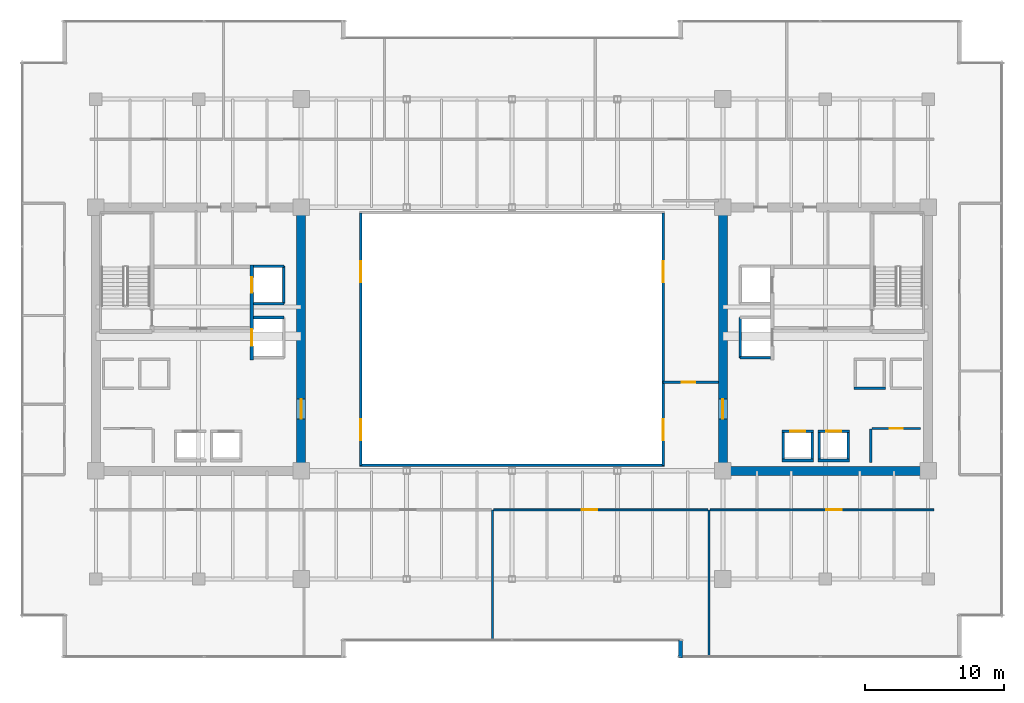
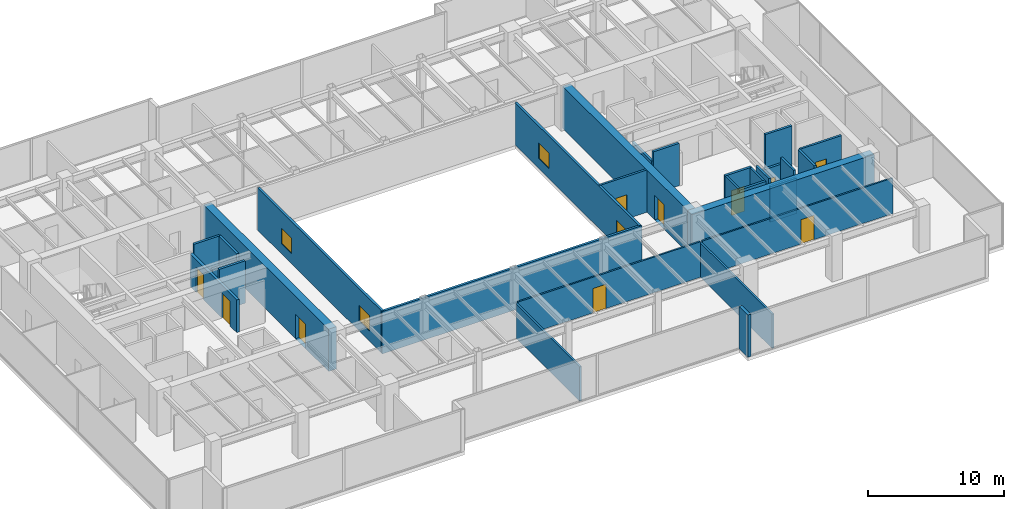
# One storey, part 26 of 31: 30 walls, 10 doors, 4 windows, 14 openings.
"""IFC4 building model written with IfcOpenShell, lengths in metres."""

from ifc_helpers import new_model, si_unit, direction, frame, frame_2d, origin, place, context, subcontext, project, spatial, rectangle, extrude, source, transform, mapped, material, layer, layer_set, type_object, type_shapes, element, fill, save


model = new_model("IFC4")

# Units and contexts
model_context = context("Model", 3, precision=1e-05, world=origin(), true_north=direction((0.0, 1.0)))
body_context = subcontext(model_context, "Body", "Model", "MODEL_VIEW")
ifc_project = project(units=[si_unit("LENGTHUNIT", "METRE"), si_unit("AREAUNIT", "SQUARE_METRE"), si_unit("VOLUMEUNIT", "CUBIC_METRE"), si_unit("PLANEANGLEUNIT", "RADIAN"), si_unit("MASSUNIT", "GRAM", prefix="KILO")], contexts=[model_context])

# Site, building, storey
site_placement = place(None, origin())
site = spatial("IfcSite", under=ifc_project, at=site_placement, CompositionType="ELEMENT")
building_placement = place(site_placement, origin())
building = spatial("IfcBuilding", under=site, at=building_placement, Name="Haelvirn Gate Laboratories", CompositionType="ELEMENT")
storey_placement = place(building_placement, frame((0.0, 0.0, 174.800048828125)))
storey = spatial("IfcBuildingStorey", under=building, at=storey_placement, Name="L42", CompositionType="ELEMENT", Elevation=174.800048828125)

# Walls
ifc_material_1 = material(Name="Thermally-broken bronze aluminium rainscreen & mineral wool", Category="aluminium")
ifc_layer_1 = layer(ifc_material_1, 0.280029296875, Name="EW-TERR-280")
ifc_layer_set_1 = layer_set([ifc_layer_1], Name="Thermally-broken bronze aluminium rainscreen & mineral wool")
wall_type_1 = type_object("IfcWallType", Name="EW-TERR-280", PredefinedType="STANDARD", material=ifc_layer_set_1)
wall_1_placement = place(storey_placement, frame((49.5400390625, 2.587890625, 0.0), z_axis=(0.0, 0.0, 1.0), x_axis=(0.0, -1.0, 0.0)))
element("IfcWall", 1, at=wall_1_placement, inside=storey, type_object=wall_type_1, Name="L42 Atrium Recess Bronze Return Wall 03", PredefinedType="STANDARD", context=body_context, shape_type="SweptSolid", body=[
    extrude(rectangle(XDim=1.287841796875, YDim=0.280029296875, at=frame_2d((0.64404296875, 0.0))), origin(), (0.0, 0.0, 1.0), 3.7900390625),
])
ifc_material_2 = material(Name="Double-layer acoustic gypsum laboratory partition", Category="gypsum")
ifc_layer_2 = layer(ifc_material_2, 0.159912109375, Name="IW-ACOUST-160")
ifc_layer_set_2 = layer_set([ifc_layer_2], Name="Double-layer acoustic gypsum laboratory partition")
wall_type_2 = type_object("IfcWallType", Name="IW-ACOUST-160", PredefinedType="PARTITIONING", material=ifc_layer_set_2)
wall_2_placement = place(storey_placement, frame((36.0, 2.610107421875, 0.0), z_axis=(0.0, 0.0, 1.0), x_axis=(0.0, 1.0, 0.0)))
element("IfcWall", 2, at=wall_2_placement, inside=storey, type_object=wall_type_2, Name="L42 Interior Wall IW-L42-SDIV-02", PredefinedType="PARTITIONING", context=body_context, shape_type="SweptSolid", body=[
    extrude(rectangle(XDim=9.3798828125, YDim=0.159912109375, at=frame_2d((4.68994140625, 0.0))), origin(), (0.0, 0.0, 1.0), 3.074951171875),
])
wall_3_placement = place(storey_placement, frame((51.60009765625, 1.409912109375, 0.0), z_axis=(0.0, 0.0, 1.0), x_axis=(0.0, 1.0, 0.0)))
element("IfcWall", 3, at=wall_3_placement, inside=storey, type_object=wall_type_2, Name="L42 Interior Wall IW-L42-SDIV-03", PredefinedType="PARTITIONING", context=body_context, shape_type="SweptSolid", body=[
    extrude(rectangle(XDim=10.580078125, YDim=0.159912109375, at=frame_2d((5.2900390625, 0.0))), origin(), (0.0, 0.0, 1.0), 3.074951171875),
])

# Wall, opening, door
ifc_material_3 = material(Name="Fire-rated acoustic gypsum board partition", Category="gypsum")
ifc_layer_3 = layer(ifc_material_3, 0.175048828125, Name="IW-ACOUST-180")
ifc_layer_set_3 = layer_set([ifc_layer_3], Name="Fire-rated acoustic gypsum board partition")
wall_type_3 = type_object("IfcWallType", Name="IW-ACOUST-180", PredefinedType="PARTITIONING", material=ifc_layer_set_3)
wall_4_placement = place(storey_placement, frame((48.300048828125, 21.179931640625, 0.0), z_axis=(0.0, 0.0, 1.0), x_axis=(1.0, 0.0, 0.0)))
wall_4 = element("IfcWall", 4, at=wall_4_placement, inside=storey, type_object=wall_type_3, Name="L42 Interior Wall IW-L42-ASEM-S", PredefinedType="PARTITIONING", context=body_context, shape_type="SweptSolid", body=[
    extrude(rectangle(XDim=3.974853515625, YDim=0.175048828125, at=frame_2d((1.9873046875, 0.0))), origin(), (0.0, 0.0, 1.0), 3.7900390625),
])
opening_1_placement = place(wall_4_placement, frame((1.35009765625, 0.0, 0.0)))
opening_1 = element("IfcOpeningElement", 5, at=opening_1_placement, cuts=wall_4, Name="Opening FD4", PredefinedType="OPENING", context=body_context, shape_type="SweptSolid", body=[
    extrude(rectangle(XDim=0.949951171875, YDim=2.14990234375, at=frame_2d((0.47509765625, 1.074951171875))), frame((0.0, 0.09765625, 0.0), z_axis=(0.0, -1.0, 0.0), x_axis=(1.0, 0.0, 0.0)), (0.0, 0.0, 1.0), 0.195068359375),
])
ifc_material_4 = material(Name="Fire-rated steel SM355 core service door", Category="steel")
door_type_1 = type_object("IfcDoorType", Name="DR-FD-950", OperationType="NOTDEFINED", PredefinedType="DOOR", material=ifc_material_4)
shared_shape_1 = source(origin(), body_context, "Body", "SweptSolid", [
    extrude(rectangle(XDim=0.949951171875, YDim=2.14990234375, at=frame_2d((0.47509765625, 1.074951171875))), frame((0.0, 0.02490234375, 0.0), z_axis=(0.0, -1.0, 0.0), x_axis=(1.0, 0.0, 0.0)), (0.0, 0.0, 1.0), 0.050048828125),
])
type_shapes(door_type_1, [shared_shape_1])
door_1_placement = place(opening_1_placement, origin())
door_1 = element("IfcDoor", 6, at=door_1_placement, inside=storey, type_object=door_type_1, Name="L42 Atrium Bioinformatics Suite Door", OperationType="SINGLE_SWING_LEFT", OverallHeight=2.14990234375, OverallWidth=0.949951171875, PredefinedType="DOOR", context=body_context, shape_type="MappedRepresentation", body=[
    mapped(shared_shape_1, transform((0.0, 0.0, 0.0), scale=1.0)),
])
fill(opening_1, door_1)

# Wall, openings, windows
ifc_material_5 = material(Name="Tempered fire-rated borosilicate glass & anodised aluminium", Category="aluminium")
ifc_layer_4 = layer(ifc_material_5, 0.195068359375, Name="IW-GLAZ-200")
ifc_layer_set_4 = layer_set([ifc_layer_4], Name="Tempered fire-rated borosilicate glass & anodised aluminium")
wall_type_4 = type_object("IfcWallType", Name="IW-GLAZ-200", PredefinedType="SOLIDWALL", material=ifc_layer_set_4)
wall_5_placement = place(storey_placement, frame((26.5, 15.199951171875, 0.0), z_axis=(0.0, 0.0, 1.0), x_axis=(0.0, 1.0, 0.0)))
wall_5 = element("IfcWall", 7, at=wall_5_placement, inside=storey, type_object=wall_type_4, Name="L42 Interior Wall IW-L42-ATRIUM-W", PredefinedType="SOLIDWALL", context=body_context, shape_type="SweptSolid", body=[
    extrude(rectangle(XDim=18.199951171875, YDim=0.195068359375, at=frame_2d((9.10009765625, 0.0))), origin(), (0.0, 0.0, 1.0), 3.7900390625),
])
opening_2_placement = place(wall_5_placement, frame((1.800048828125, 0.0, 0.89990234375)))
opening_2 = element("IfcOpeningElement", 8, at=opening_2_placement, cuts=wall_5, Name="Opening W5", PredefinedType="OPENING", context=body_context, shape_type="SweptSolid", body=[
    extrude(rectangle(XDim=1.5, YDim=1.39990234375, at=frame_2d((0.75, 0.699951171875))), frame((0.0, 0.107421875, 0.0), z_axis=(0.0, -1.0, 0.0), x_axis=(1.0, 0.0, 0.0)), (0.0, 0.0, 1.0), 0.215087890625),
])
opening_3_placement = place(wall_5_placement, frame((13.199951171875, 0.0, 0.89990234375)))
opening_3 = element("IfcOpeningElement", 9, at=opening_3_placement, cuts=wall_5, Name="Opening W5", PredefinedType="OPENING", context=body_context, shape_type="SweptSolid", body=[
    extrude(rectangle(XDim=1.5, YDim=1.39990234375, at=frame_2d((0.75, 0.699951171875))), frame((0.0, 0.107421875, 0.0), z_axis=(0.0, -1.0, 0.0), x_axis=(1.0, 0.0, 0.0)), (0.0, 0.0, 1.0), 0.215087890625),
])
ifc_material_6 = material(Name="Fire-rated EI 120 borosilicate atrium vision glazing", Category="glass")
window_type = type_object("IfcWindowType", Name="WN-ATR-1500", PartitioningType="SINGLE_PANEL", PredefinedType="WINDOW", material=ifc_material_6)
shared_shape_2 = source(origin(), body_context, "Body", "SweptSolid", [
    extrude(rectangle(XDim=1.5, YDim=1.39990234375, at=frame_2d((0.75, 0.699951171875))), frame((0.0, 0.030029296875, 0.0), z_axis=(0.0, -1.0, 0.0), x_axis=(1.0, 0.0, 0.0)), (0.0, 0.0, 1.0), 0.06005859375),
])
type_shapes(window_type, [shared_shape_2])
window_1_placement = place(opening_2_placement, origin())
window_1 = element("IfcWindow", 10, at=window_1_placement, inside=storey, type_object=window_type, Name="L42 Atrium Observation Window 1", OverallHeight=1.39990234375, OverallWidth=1.5, PartitioningType="SINGLE_PANEL", PredefinedType="WINDOW", context=body_context, shape_type="MappedRepresentation", body=[
    mapped(shared_shape_2, transform((0.0, 0.0, 0.0), scale=1.0)),
])
fill(opening_2, window_1)
window_2_placement = place(opening_3_placement, origin())
window_2 = element("IfcWindow", 11, at=window_2_placement, inside=storey, type_object=window_type, Name="L42 Atrium Observation Window 2", OverallHeight=1.39990234375, OverallWidth=1.5, PartitioningType="SINGLE_PANEL", PredefinedType="WINDOW", context=body_context, shape_type="MappedRepresentation", body=[
    mapped(shared_shape_2, transform((0.0, 0.0, 0.0), scale=1.0)),
])
fill(opening_3, window_2)

wall_6_placement = place(storey_placement, frame((48.300048828125, 15.199951171875, 0.0), z_axis=(0.0, 0.0, 1.0), x_axis=(0.0, 1.0, 0.0)))
wall_6 = element("IfcWall", 12, at=wall_6_placement, inside=storey, type_object=wall_type_4, Name="L42 Interior Wall IW-L42-ATRIUM-E", PredefinedType="SOLIDWALL", context=body_context, shape_type="SweptSolid", body=[
    extrude(rectangle(XDim=18.199951171875, YDim=0.195068359375, at=frame_2d((9.10009765625, 0.0))), origin(), (0.0, 0.0, 1.0), 3.7900390625),
])
opening_4_placement = place(wall_6_placement, frame((1.800048828125, 0.0, 0.89990234375)))
opening_4 = element("IfcOpeningElement", 13, at=opening_4_placement, cuts=wall_6, Name="Opening W5", PredefinedType="OPENING", context=body_context, shape_type="SweptSolid", body=[
    extrude(rectangle(XDim=1.5, YDim=1.39990234375, at=frame_2d((0.75, 0.699951171875))), frame((0.0, 0.107421875, 0.0), z_axis=(0.0, -1.0, 0.0), x_axis=(1.0, 0.0, 0.0)), (0.0, 0.0, 1.0), 0.215087890625),
])
opening_5_placement = place(wall_6_placement, frame((13.199951171875, 0.0, 0.89990234375)))
opening_5 = element("IfcOpeningElement", 14, at=opening_5_placement, cuts=wall_6, Name="Opening W5", PredefinedType="OPENING", context=body_context, shape_type="SweptSolid", body=[
    extrude(rectangle(XDim=1.5, YDim=1.39990234375, at=frame_2d((0.75, 0.699951171875))), frame((0.0, 0.107421875, 0.0), z_axis=(0.0, -1.0, 0.0), x_axis=(1.0, 0.0, 0.0)), (0.0, 0.0, 1.0), 0.215087890625),
])
window_3_placement = place(opening_4_placement, origin())
window_3 = element("IfcWindow", 15, at=window_3_placement, inside=storey, type_object=window_type, Name="L42 Atrium Observation Window 1", OverallHeight=1.39990234375, OverallWidth=1.5, PartitioningType="SINGLE_PANEL", PredefinedType="WINDOW", context=body_context, shape_type="MappedRepresentation", body=[
    mapped(shared_shape_2, transform((0.0, 0.0, 0.0), scale=1.0)),
])
fill(opening_4, window_3)
window_4_placement = place(opening_5_placement, origin())
window_4 = element("IfcWindow", 16, at=window_4_placement, inside=storey, type_object=window_type, Name="L42 Atrium Observation Window 2", OverallHeight=1.39990234375, OverallWidth=1.5, PartitioningType="SINGLE_PANEL", PredefinedType="WINDOW", context=body_context, shape_type="MappedRepresentation", body=[
    mapped(shared_shape_2, transform((0.0, 0.0, 0.0), scale=1.0)),
])
fill(opening_5, window_4)

# Wall
wall_7_placement = place(storey_placement, frame((26.39990234375, 15.199951171875, 0.0), z_axis=(0.0, 0.0, 1.0), x_axis=(1.0, 0.0, 0.0)))
element("IfcWall", 17, at=wall_7_placement, inside=storey, type_object=wall_type_4, Name="L42 Interior Wall IW-L42-ATRIUM-S", PredefinedType="SOLIDWALL", context=body_context, shape_type="SweptSolid", body=[
    extrude(rectangle(XDim=22.0, YDim=0.195068359375, at=frame_2d((11.0, 0.0))), origin(), (0.0, 0.0, 1.0), 3.7900390625),
])

# Wall, opening, door
ifc_material_7 = material(Name="Acoustic mineral-wool gypsum board partition", Category="gypsum")
ifc_layer_5 = layer(ifc_material_7, 0.139892578125, Name="IW-PART-140")
ifc_layer_set_5 = layer_set([ifc_layer_5], Name="Acoustic mineral-wool gypsum board partition")
wall_type_5 = type_object("IfcWallType", Name="IW-PART-140", PredefinedType="PARTITIONING", material=ifc_layer_set_5)
wall_8_placement = place(storey_placement, frame((36.080078125, 11.989990234375, 0.0), z_axis=(0.0, 0.0, 1.0), x_axis=(1.0, 0.0, 0.0)))
wall_8 = element("IfcWall", 18, at=wall_8_placement, inside=storey, type_object=wall_type_5, Name="L42 Interior Wall IW-L42-SCORR-03", PredefinedType="PARTITIONING", context=body_context, shape_type="SweptSolid", body=[
    extrude(rectangle(XDim=15.43994140625, YDim=0.139892578125, at=frame_2d((7.719970703125, 0.0))), origin(), (0.0, 0.0, 1.0), 3.18701171875),
])
opening_6_placement = place(wall_8_placement, frame((6.3515625, 0.0, 0.0)))
opening_6 = element("IfcOpeningElement", 19, at=opening_6_placement, cuts=wall_8, Name="Opening D1", PredefinedType="OPENING", context=body_context, shape_type="SweptSolid", body=[
    extrude(rectangle(XDim=1.10009765625, YDim=2.179931640625, at=frame_2d((0.550048828125, 1.08984375))), frame((0.0, 0.080078125, 0.0), z_axis=(0.0, -1.0, 0.0), x_axis=(1.0, 0.0, 0.0)), (0.0, 0.0, 1.0), 0.159912109375),
])
ifc_material_8 = material(Name="Vision-panel acoustic solid-core timber lab door", Category="wood")
door_type_2 = type_object("IfcDoorType", Name="DR-LAB-1100", OperationType="NOTDEFINED", PredefinedType="DOOR", material=ifc_material_8)
shared_shape_3 = source(origin(), body_context, "Body", "SweptSolid", [
    extrude(rectangle(XDim=1.10009765625, YDim=2.179931640625, at=frame_2d((0.550048828125, 1.08984375))), frame((0.0, 0.02490234375, 0.0), z_axis=(0.0, -1.0, 0.0), x_axis=(1.0, 0.0, 0.0)), (0.0, 0.0, 1.0), 0.050048828125),
])
type_shapes(door_type_2, [shared_shape_3])
door_2_placement = place(opening_6_placement, origin())
door_2 = element("IfcDoor", 20, at=door_2_placement, inside=storey, type_object=door_type_2, Name="L42 Cryo-EM Imaging Suite Door S3", OperationType="SINGLE_SWING_LEFT", OverallHeight=2.179931640625, OverallWidth=1.10009765625, PredefinedType="DOOR", context=body_context, shape_type="MappedRepresentation", body=[
    mapped(shared_shape_3, transform((0.0, 0.0, 0.0), scale=1.0)),
])
fill(opening_6, door_2)

wall_9_placement = place(storey_placement, frame((51.679931640625, 11.989990234375, 0.0), z_axis=(0.0, 0.0, 1.0), x_axis=(1.0, 0.0, 0.0)))
wall_9 = element("IfcWall", 21, at=wall_9_placement, inside=storey, type_object=wall_type_5, Name="L42 Interior Wall IW-L42-SCORR-04", PredefinedType="PARTITIONING", context=body_context, shape_type="SweptSolid", body=[
    extrude(rectangle(XDim=16.14013671875, YDim=0.139892578125, at=frame_2d((8.070068359375, 0.0))), origin(), (0.0, 0.0, 1.0), 3.18701171875),
])
opening_7_placement = place(wall_9_placement, frame((8.38037109375, 0.0, 0.0)))
opening_7 = element("IfcOpeningElement", 22, at=opening_7_placement, cuts=wall_9, Name="Opening D1", PredefinedType="OPENING", context=body_context, shape_type="SweptSolid", body=[
    extrude(rectangle(XDim=1.10009765625, YDim=2.179931640625, at=frame_2d((0.550048828125, 1.08984375))), frame((0.0, 0.080078125, 0.0), z_axis=(0.0, -1.0, 0.0), x_axis=(1.0, 0.0, 0.0)), (0.0, 0.0, 1.0), 0.159912109375),
])
door_3_placement = place(opening_7_placement, origin())
door_3 = element("IfcDoor", 23, at=door_3_placement, inside=storey, type_object=door_type_2, Name="L42 Analytical Instrument Suite Door S4", OperationType="SINGLE_SWING_RIGHT", OverallHeight=2.179931640625, OverallWidth=1.10009765625, PredefinedType="DOOR", context=body_context, shape_type="MappedRepresentation", body=[
    mapped(shared_shape_3, transform((0.0, 0.0, 0.0), scale=1.0)),
])
fill(opening_7, door_3)

# Walls
ifc_material_9 = material(Name="Concrete C40/50", Category="concrete")
ifc_layer_6 = layer(ifc_material_9, 0.179931640625, Name="IW-SHAFT-180")
ifc_layer_set_6 = layer_set([ifc_layer_6], Name="Concrete C40/50")
wall_type_6 = type_object("IfcWallType", Name="IW-SHAFT-180", PredefinedType="SOLIDWALL", material=ifc_layer_set_6)
for number, where, z_axis, x_axis, name in (
    (24, (59.550048828125, 15.64990234375, 0.0), (0.0, 0.0, 1.0), (0.0, 1.0, 0.0), "L42 Interior Wall IW-L42-PL7-SD"),
    (25, (61.64990234375, 15.64990234375, 0.0), (0.0, 0.0, 1.0), (0.0, 1.0, 0.0), "L42 Interior Wall IW-L42-PL7-SDE"),
    (26, (56.949951171875, 15.64990234375, 0.0), (0.0, 0.0, 1.0), (0.0, 1.0, 0.0), "L42 Interior Wall IW-L42-PL8-SD"),
    (27, (59.050048828125, 15.64990234375, 0.0), (0.0, 0.0, 1.0), (0.0, 1.0, 0.0), "L42 Interior Wall IW-L42-PL8-SDE"),
):
    element("IfcWall", number, at=place(storey_placement, frame(where, z_axis=z_axis, x_axis=x_axis)), inside=storey, type_object=wall_type_6, Name=name, PredefinedType="SOLIDWALL", context=body_context, shape_type="SweptSolid", body=[
        extrude(rectangle(XDim=1.900146484375, YDim=0.179931640625, at=frame_2d((0.9501953125, 0.0))), origin(), (0.0, 0.0, 1.0), 3.7900390625),
    ])

# Wall, opening, door
wall_10_placement = place(storey_placement, frame((63.35009765625, 17.85009765625, 0.0), z_axis=(0.0, 0.0, 1.0), x_axis=(1.0, 0.0, 0.0)))
wall_10 = element("IfcWall", 28, at=wall_10_placement, inside=storey, type_object=wall_type_6, Name="L42 Interior Wall IW-L42-E-FREED-LN-1", PredefinedType="SOLIDWALL", context=body_context, shape_type="SweptSolid", body=[
    extrude(rectangle(XDim=3.5, YDim=0.179931640625, at=frame_2d((1.75, 0.0))), origin(), (0.0, 0.0, 1.0), 3.7900390625),
])
opening_8_placement = place(wall_10_placement, frame((1.27490234375, 0.0, 0.0)))
opening_8 = element("IfcOpeningElement", 29, at=opening_8_placement, cuts=wall_10, Name="Opening FD4", PredefinedType="OPENING", context=body_context, shape_type="SweptSolid", body=[
    extrude(rectangle(XDim=0.949951171875, YDim=2.14990234375, at=frame_2d((0.47509765625, 1.074951171875))), frame((0.0, 0.10009765625, 0.0), z_axis=(0.0, -1.0, 0.0), x_axis=(1.0, 0.0, 0.0)), (0.0, 0.0, 1.0), 0.199951171875),
])
door_4_placement = place(opening_8_placement, origin())
door_4 = element("IfcDoor", 30, at=door_4_placement, inside=storey, type_object=door_type_1, Name="L42 Core Calibration Room Door", OperationType="SINGLE_SWING_LEFT", OverallHeight=2.14990234375, OverallWidth=0.949951171875, PredefinedType="DOOR", context=body_context, shape_type="MappedRepresentation", body=[
    mapped(shared_shape_1, transform((0.0, 0.0, 0.0), scale=1.0)),
])
fill(opening_8, door_4)

# Walls
wall_11_placement = place(storey_placement, frame((63.260009765625, 15.39990234375, 0.0), z_axis=(0.0, 0.0, 1.0), x_axis=(0.0, 1.0, 0.0)))
element("IfcWall", 31, at=wall_11_placement, inside=storey, type_object=wall_type_6, Name="L42 Interior Wall IW-L42-E-FREED-LE-1", PredefinedType="SOLIDWALL", context=body_context, shape_type="SweptSolid", body=[
    extrude(rectangle(XDim=2.400146484375, YDim=0.179931640625, at=frame_2d((1.2001953125, 0.0))), origin(), (0.0, 0.0, 1.0), 3.7900390625),
])
ifc_layer_7 = layer(ifc_material_9, 0.199951171875, Name="IW-SHAFT-200")
ifc_layer_set_7 = layer_set([ifc_layer_7], Name="Concrete C40/50")
wall_type_7 = type_object("IfcWallType", Name="IW-SHAFT-200", PredefinedType="SOLIDWALL", material=ifc_layer_set_7)
wall_12_placement = place(storey_placement, frame((20.949951171875, 26.85009765625, 0.0), z_axis=(0.0, 0.0, 1.0), x_axis=(0.0, 1.0, 0.0)))
element("IfcWall", 32, at=wall_12_placement, inside=storey, type_object=wall_type_7, Name="L42 Interior Wall IW-L42-FL1-BK", PredefinedType="SOLIDWALL", context=body_context, shape_type="SweptSolid", body=[
    extrude(rectangle(XDim=2.699951171875, YDim=0.199951171875, at=frame_2d((1.35009765625, 0.0))), origin(), (0.0, 0.0, 1.0), 3.7900390625),
])
wall_13_placement = place(storey_placement, frame((18.760009765625, 29.550048828125, 0.0), z_axis=(0.0, 0.0, 1.0), x_axis=(1.0, 0.0, 0.0)))
element("IfcWall", 33, at=wall_13_placement, inside=storey, type_object=wall_type_7, Name="L42 Interior Wall IW-L42-FL1-N", PredefinedType="SOLIDWALL", context=body_context, shape_type="SweptSolid", body=[
    extrude(rectangle(XDim=2.18994140625, YDim=0.199951171875, at=frame_2d((1.094970703125, 0.0))), origin(), (0.0, 0.0, 1.0), 3.7900390625),
])
wall_14_placement = place(storey_placement, frame((18.760009765625, 26.85009765625, 0.0), z_axis=(0.0, 0.0, 1.0), x_axis=(1.0, 0.0, 0.0)))
element("IfcWall", 34, at=wall_14_placement, inside=storey, type_object=wall_type_7, Name="L42 Interior Wall IW-L42-FL1-S", PredefinedType="SOLIDWALL", context=body_context, shape_type="SweptSolid", body=[
    extrude(rectangle(XDim=2.18994140625, YDim=0.199951171875, at=frame_2d((1.094970703125, 0.0))), origin(), (0.0, 0.0, 1.0), 3.18701171875),
])
wall_15_placement = place(storey_placement, frame((18.760009765625, 25.85009765625, 0.0), z_axis=(0.0, 0.0, 1.0), x_axis=(1.0, 0.0, 0.0)))
element("IfcWall", 35, at=wall_15_placement, inside=storey, type_object=wall_type_7, Name="L42 Interior Wall IW-L42-SL1-N", PredefinedType="SOLIDWALL", context=body_context, shape_type="SweptSolid", body=[
    extrude(rectangle(XDim=2.18994140625, YDim=0.199951171875, at=frame_2d((1.094970703125, 0.0))), origin(), (0.0, 0.0, 1.0), 3.7900390625),
])

# Wall, opening, door
wall_16_placement = place(storey_placement, frame((59.469970703125, 17.64990234375, 0.0), z_axis=(0.0, 0.0, 1.0), x_axis=(1.0, 0.0, 0.0)))
wall_16 = element("IfcWall", 36, at=wall_16_placement, inside=storey, type_object=wall_type_7, Name="L42 Interior Wall IW-L42-PL7-FR", PredefinedType="SOLIDWALL", context=body_context, shape_type="SweptSolid", body=[
    extrude(rectangle(XDim=2.260009765625, YDim=0.199951171875, at=frame_2d((1.1298828125, 0.0))), origin(), (0.0, 0.0, 1.0), 3.18701171875),
])
opening_9_placement = place(wall_16_placement, frame((0.580078125, 0.0, 0.0)))
opening_9 = element("IfcOpeningElement", 37, at=opening_9_placement, cuts=wall_16, Name="Opening LD2", PredefinedType="OPENING", context=body_context, shape_type="SweptSolid", body=[
    extrude(rectangle(XDim=1.10009765625, YDim=2.219970703125, at=frame_2d((0.550048828125, 1.10986328125))), frame((0.0, 0.10986328125, 0.0), z_axis=(0.0, -1.0, 0.0), x_axis=(1.0, 0.0, 0.0)), (0.0, 0.0, 1.0), 0.219970703125),
])
ifc_material_10 = material(Name="Bronze stainless 316L sliding lift landing door")
door_type_3 = type_object("IfcDoorType", Name="DR-LD-1100", OperationType="NOTDEFINED", PredefinedType="USERDEFINED", material=ifc_material_10)
shared_shape_4 = source(origin(), body_context, "Body", "SweptSolid", [
    extrude(rectangle(XDim=1.10009765625, YDim=2.219970703125, at=frame_2d((0.550048828125, 1.10986328125))), frame((0.0, 0.02490234375, 0.0), z_axis=(0.0, -1.0, 0.0), x_axis=(1.0, 0.0, 0.0)), (0.0, 0.0, 1.0), 0.050048828125),
])
type_shapes(door_type_3, [shared_shape_4])
door_5_placement = place(opening_9_placement, origin())
door_5 = element("IfcDoor", 38, at=door_5_placement, inside=storey, type_object=door_type_3, Name="L42 Passenger Lift PL7 Landing Door", ObjectType="LANDING_DOOR", OperationType="SLIDING_TO_LEFT", OverallHeight=2.219970703125, OverallWidth=1.10009765625, PredefinedType="USERDEFINED", context=body_context, shape_type="MappedRepresentation", body=[
    mapped(shared_shape_4, transform((0.0, 0.0, 0.0), scale=1.0)),
])
fill(opening_9, door_5)

# Wall
wall_17_placement = place(storey_placement, frame((59.469970703125, 15.550048828125, 0.0), z_axis=(0.0, 0.0, 1.0), x_axis=(1.0, 0.0, 0.0)))
element("IfcWall", 39, at=wall_17_placement, inside=storey, type_object=wall_type_7, Name="L42 Interior Wall IW-L42-PL7-BK", PredefinedType="SOLIDWALL", context=body_context, shape_type="SweptSolid", body=[
    extrude(rectangle(XDim=2.260009765625, YDim=0.199951171875, at=frame_2d((1.1298828125, 0.0))), origin(), (0.0, 0.0, 1.0), 3.18701171875),
])

# Wall, opening, door
wall_18_placement = place(storey_placement, frame((56.8701171875, 17.64990234375, 0.0), z_axis=(0.0, 0.0, 1.0), x_axis=(1.0, 0.0, 0.0)))
wall_18 = element("IfcWall", 40, at=wall_18_placement, inside=storey, type_object=wall_type_7, Name="L42 Interior Wall IW-L42-PL8-FR", PredefinedType="SOLIDWALL", context=body_context, shape_type="SweptSolid", body=[
    extrude(rectangle(XDim=2.259765625, YDim=0.199951171875, at=frame_2d((1.1298828125, 0.0))), origin(), (0.0, 0.0, 1.0), 3.7900390625),
])
opening_10_placement = place(wall_18_placement, frame((0.580078125, 0.0, 0.0)))
opening_10 = element("IfcOpeningElement", 41, at=opening_10_placement, cuts=wall_18, Name="Opening LD2", PredefinedType="OPENING", context=body_context, shape_type="SweptSolid", body=[
    extrude(rectangle(XDim=1.10009765625, YDim=2.219970703125, at=frame_2d((0.550048828125, 1.10986328125))), frame((0.0, 0.10986328125, 0.0), z_axis=(0.0, -1.0, 0.0), x_axis=(1.0, 0.0, 0.0)), (0.0, 0.0, 1.0), 0.219970703125),
])
door_6_placement = place(opening_10_placement, origin())
door_6 = element("IfcDoor", 42, at=door_6_placement, inside=storey, type_object=door_type_3, Name="L42 Passenger Lift PL8 Landing Door", ObjectType="LANDING_DOOR", OperationType="SLIDING_TO_RIGHT", OverallHeight=2.219970703125, OverallWidth=1.10009765625, PredefinedType="USERDEFINED", context=body_context, shape_type="MappedRepresentation", body=[
    mapped(shared_shape_4, transform((0.0, 0.0, 0.0), scale=1.0)),
])
fill(opening_10, door_6)

# Walls
wall_19_placement = place(storey_placement, frame((56.8701171875, 15.550048828125, 0.0), z_axis=(0.0, 0.0, 1.0), x_axis=(1.0, 0.0, 0.0)))
element("IfcWall", 43, at=wall_19_placement, inside=storey, type_object=wall_type_7, Name="L42 Interior Wall IW-L42-PL8-BK", PredefinedType="SOLIDWALL", context=body_context, shape_type="SweptSolid", body=[
    extrude(rectangle(XDim=2.259765625, YDim=0.199951171875, at=frame_2d((1.1298828125, 0.0))), origin(), (0.0, 0.0, 1.0), 3.7900390625),
])
wall_20_placement = place(storey_placement, frame((62.070068359375, 20.75, 0.0), z_axis=(0.0, 0.0, 1.0), x_axis=(1.0, 0.0, 0.0)))
element("IfcWall", 44, at=wall_20_placement, inside=storey, type_object=wall_type_7, Name="L42 Interior Wall IW-L42-PL12-FR", PredefinedType="SOLIDWALL", context=body_context, shape_type="SweptSolid", body=[
    extrude(rectangle(XDim=2.260009765625, YDim=0.199951171875, at=frame_2d((1.1298828125, 0.0))), origin(), (0.0, 0.0, 1.0), 3.7900390625),
])
wall_21_placement = place(storey_placement, frame((53.85009765625, 22.949951171875, 0.0), z_axis=(0.0, 0.0, 1.0), x_axis=(0.0, 1.0, 0.0)))
element("IfcWall", 45, at=wall_21_placement, inside=storey, type_object=wall_type_7, Name="L42 Interior Wall IW-L42-SL2-BK", PredefinedType="SOLIDWALL", context=body_context, shape_type="SweptSolid", body=[
    extrude(rectangle(XDim=2.900146484375, YDim=0.199951171875, at=frame_2d((1.4501953125, 0.0))), origin(), (0.0, 0.0, 1.0), 2.925048828125),
])
wall_22_placement = place(storey_placement, frame((53.85009765625, 22.949951171875, 0.0), z_axis=(0.0, 0.0, 1.0), x_axis=(1.0, 0.0, 0.0)))
element("IfcWall", 46, at=wall_22_placement, inside=storey, type_object=wall_type_7, Name="L42 Interior Wall IW-L42-SL2-S", PredefinedType="SOLIDWALL", context=body_context, shape_type="SweptSolid", body=[
    extrude(rectangle(XDim=2.18994140625, YDim=0.199951171875, at=frame_2d((1.094970703125, 0.0))), origin(), (0.0, 0.0, 1.0), 3.7900390625),
])

# Wall, openings, doors
ifc_layer_8 = layer(ifc_material_9, 0.239990234375, Name="IW-SHAFT-240")
ifc_layer_set_8 = layer_set([ifc_layer_8], Name="Concrete C40/50")
wall_type_8 = type_object("IfcWallType", Name="IW-SHAFT-240", PredefinedType="SOLIDWALL", material=ifc_layer_set_8)
wall_23_placement = place(storey_placement, frame((18.639892578125, 22.800048828125, 0.0), z_axis=(0.0, 0.0, 1.0), x_axis=(0.0, 1.0, 0.0)))
wall_23 = element("IfcWall", 47, at=wall_23_placement, inside=storey, type_object=wall_type_8, Name="L42 Interior Wall IW-L42-W-FF-E", PredefinedType="SOLIDWALL", context=body_context, shape_type="SweptSolid", body=[
    extrude(rectangle(XDim=6.849853515625, YDim=0.239990234375, at=frame_2d((3.4248046875, 0.0))), origin(), (0.0, 0.0, 1.0), 2.925048828125),
])
opening_11_placement = place(wall_23_placement, frame((4.85009765625, 0.0, 0.0)))
opening_11 = element("IfcOpeningElement", 48, at=opening_11_placement, cuts=wall_23, Name="Opening LD2", PredefinedType="OPENING", context=body_context, shape_type="SweptSolid", body=[
    extrude(rectangle(XDim=1.10009765625, YDim=2.219970703125, at=frame_2d((0.550048828125, 1.10986328125))), frame((0.0, 0.1298828125, 0.0), z_axis=(0.0, -1.0, 0.0), x_axis=(1.0, 0.0, 0.0)), (0.0, 0.0, 1.0), 0.260009765625),
])
opening_12_placement = place(wall_23_placement, frame((1.0, 0.0, 0.0)))
opening_12 = element("IfcOpeningElement", 49, at=opening_12_placement, cuts=wall_23, Name="Opening LD1", PredefinedType="OPENING", context=body_context, shape_type="SweptSolid", body=[
    extrude(rectangle(XDim=1.199951171875, YDim=2.219970703125, at=frame_2d((0.60009765625, 1.10986328125))), frame((0.0, 0.1298828125, 0.0), z_axis=(0.0, -1.0, 0.0), x_axis=(1.0, 0.0, 0.0)), (0.0, 0.0, 1.0), 0.260009765625),
])
door_7_placement = place(opening_11_placement, origin())
door_7 = element("IfcDoor", 50, at=door_7_placement, inside=storey, type_object=door_type_3, Name="L42 Firefighting Lift FL1 Landing Door", ObjectType="LANDING_DOOR", OperationType="SLIDING_TO_LEFT", OverallHeight=2.219970703125, OverallWidth=1.10009765625, PredefinedType="USERDEFINED", context=body_context, shape_type="MappedRepresentation", body=[
    mapped(shared_shape_4, transform((0.0, 0.0, 0.0), scale=1.0)),
])
fill(opening_11, door_7)
ifc_material_11 = material(Name="Stainless steel 316L sliding goods landing door", Category="steel")
door_type_4 = type_object("IfcDoorType", Name="DR-LD-1200", OperationType="NOTDEFINED", PredefinedType="USERDEFINED", material=ifc_material_11)
shared_shape_5 = source(origin(), body_context, "Body", "SweptSolid", [
    extrude(rectangle(XDim=1.199951171875, YDim=2.219970703125, at=frame_2d((0.60009765625, 1.10986328125))), frame((0.0, 0.02490234375, 0.0), z_axis=(0.0, -1.0, 0.0), x_axis=(1.0, 0.0, 0.0)), (0.0, 0.0, 1.0), 0.050048828125),
])
type_shapes(door_type_4, [shared_shape_5])
door_8_placement = place(opening_12_placement, origin())
door_8 = element("IfcDoor", 51, at=door_8_placement, inside=storey, type_object=door_type_4, Name="L42 Service Lift SL1 Landing Door", ObjectType="LANDING_DOOR", OperationType="SLIDING_TO_RIGHT", OverallHeight=2.219970703125, OverallWidth=1.199951171875, PredefinedType="USERDEFINED", context=body_context, shape_type="MappedRepresentation", body=[
    mapped(shared_shape_5, transform((0.0, 0.0, 0.0), scale=1.0)),
])
fill(opening_12, door_8)

# Wall, opening, door
ifc_material_12 = material(Name="Concrete C60/75", Category="concrete")
ifc_layer_9 = layer(ifc_material_12, 0.64990234375, Name="SW-CORE-650")
ifc_layer_set_9 = layer_set([ifc_layer_9], Name="Concrete C60/75")
wall_type_9 = type_object("IfcWallType", Name="SW-CORE-650", PredefinedType="SHEAR", material=ifc_layer_set_9)
wall_24_placement = place(storey_placement, frame((22.199951171875, 15.125, 0.0), z_axis=(0.0, 0.0, 1.0), x_axis=(0.0, 1.0, 0.0)))
wall_24 = element("IfcWall", 52, at=wall_24_placement, inside=storey, type_object=wall_type_9, Name="L42 W Core Shear Wall E", PredefinedType="SHEAR", context=body_context, shape_type="SweptSolid", body=[
    extrude(rectangle(XDim=18.35009765625, YDim=0.64990234375, at=frame_2d((9.175048828125, 0.0))), origin(), (0.0, 0.0, 1.0), 3.7900390625),
])
opening_13_placement = place(wall_24_placement, frame((3.425048828125, 0.0, 0.0)))
opening_13 = element("IfcOpeningElement", 53, at=opening_13_placement, cuts=wall_24, Name="Opening FD1", PredefinedType="OPENING", context=body_context, shape_type="SweptSolid", body=[
    extrude(rectangle(XDim=1.419921875, YDim=2.199951171875, at=frame_2d((0.7099609375, 1.10009765625))), frame((0.0, 0.3349609375, 0.0), z_axis=(0.0, -1.0, 0.0), x_axis=(1.0, 0.0, 0.0)), (0.0, 0.0, 1.0), 0.669921875),
])
ifc_material_13 = material(Name="Fire-rated double steel SM355 lobby door", Category="steel")
door_type_5 = type_object("IfcDoorType", Name="DR-FD-1400", OperationType="NOTDEFINED", PredefinedType="DOOR", material=ifc_material_13)
shared_shape_6 = source(origin(), body_context, "Body", "SweptSolid", [
    extrude(rectangle(XDim=1.419921875, YDim=2.199951171875, at=frame_2d((0.7099609375, 1.10009765625))), frame((0.0, 0.02490234375, 0.0), z_axis=(0.0, -1.0, 0.0), x_axis=(1.0, 0.0, 0.0)), (0.0, 0.0, 1.0), 0.050048828125),
])
type_shapes(door_type_5, [shared_shape_6])
door_9_placement = place(opening_13_placement, origin())
door_9 = element("IfcDoor", 54, at=door_9_placement, inside=storey, type_object=door_type_5, Name="L42 West Core Lift Lobby Fire Door", OperationType="DOUBLE_DOOR_SINGLE_SWING", OverallHeight=2.199951171875, OverallWidth=1.419921875, PredefinedType="DOOR", context=body_context, shape_type="MappedRepresentation", body=[
    mapped(shared_shape_6, transform((0.0, 0.0, 0.0), scale=1.0)),
])
fill(opening_13, door_9)

# Wall
wall_25_placement = place(storey_placement, frame((52.27490234375, 14.800048828125, 0.0), z_axis=(0.0, 0.0, 1.0), x_axis=(1.0, 0.0, 0.0)))
element("IfcWall", 55, at=wall_25_placement, inside=storey, type_object=wall_type_9, Name="L42 E Core Shear Wall S", PredefinedType="SHEAR", context=body_context, shape_type="SweptSolid", body=[
    extrude(rectangle(XDim=15.4501953125, YDim=0.64990234375, at=frame_2d((7.72509765625, 0.0))), origin(), (0.0, 0.0, 1.0), 3.7900390625),
])

# Wall, opening, door
wall_26_placement = place(storey_placement, frame((52.60009765625, 15.125, 0.0), z_axis=(0.0, 0.0, 1.0), x_axis=(0.0, 1.0, 0.0)))
wall_26 = element("IfcWall", 56, at=wall_26_placement, inside=storey, type_object=wall_type_9, Name="L42 E Core Shear Wall W", PredefinedType="SHEAR", context=body_context, shape_type="SweptSolid", body=[
    extrude(rectangle(XDim=18.35009765625, YDim=0.64990234375, at=frame_2d((9.175048828125, 0.0))), origin(), (0.0, 0.0, 1.0), 3.7900390625),
])
opening_14_placement = place(wall_26_placement, frame((3.425048828125, 0.0, 0.0)))
opening_14 = element("IfcOpeningElement", 57, at=opening_14_placement, cuts=wall_26, Name="Opening FD1", PredefinedType="OPENING", context=body_context, shape_type="SweptSolid", body=[
    extrude(rectangle(XDim=1.419921875, YDim=2.199951171875, at=frame_2d((0.7099609375, 1.10009765625))), frame((0.0, 0.3349609375, 0.0), z_axis=(0.0, -1.0, 0.0), x_axis=(1.0, 0.0, 0.0)), (0.0, 0.0, 1.0), 0.669921875),
])
door_10_placement = place(opening_14_placement, origin())
door_10 = element("IfcDoor", 58, at=door_10_placement, inside=storey, type_object=door_type_5, Name="L42 East Core Lift Lobby Fire Door", OperationType="DOUBLE_DOOR_SINGLE_SWING", OverallHeight=2.199951171875, OverallWidth=1.419921875, PredefinedType="DOOR", context=body_context, shape_type="MappedRepresentation", body=[
    mapped(shared_shape_6, transform((0.0, 0.0, 0.0), scale=1.0)),
])
fill(opening_14, door_10)

save(model, "model.ifc")
